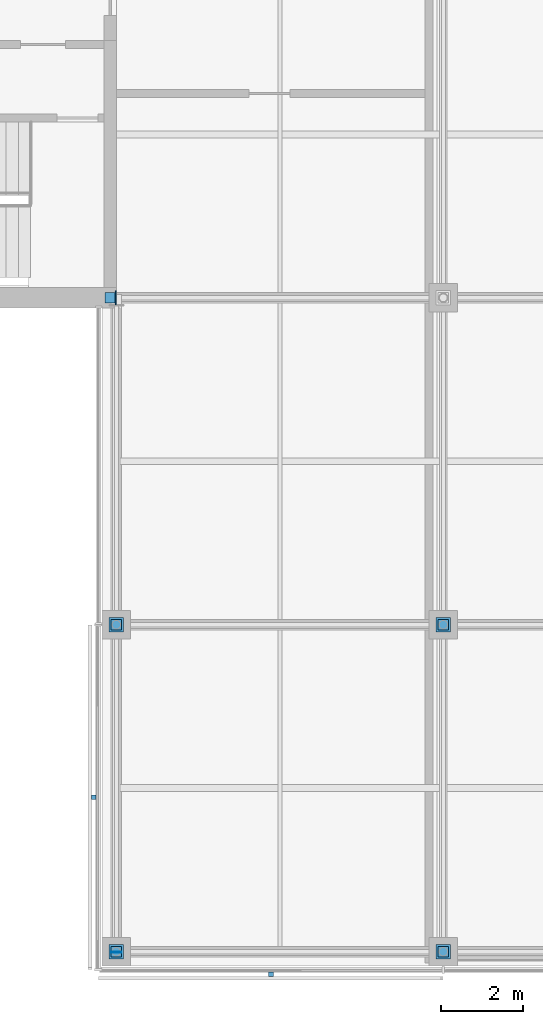
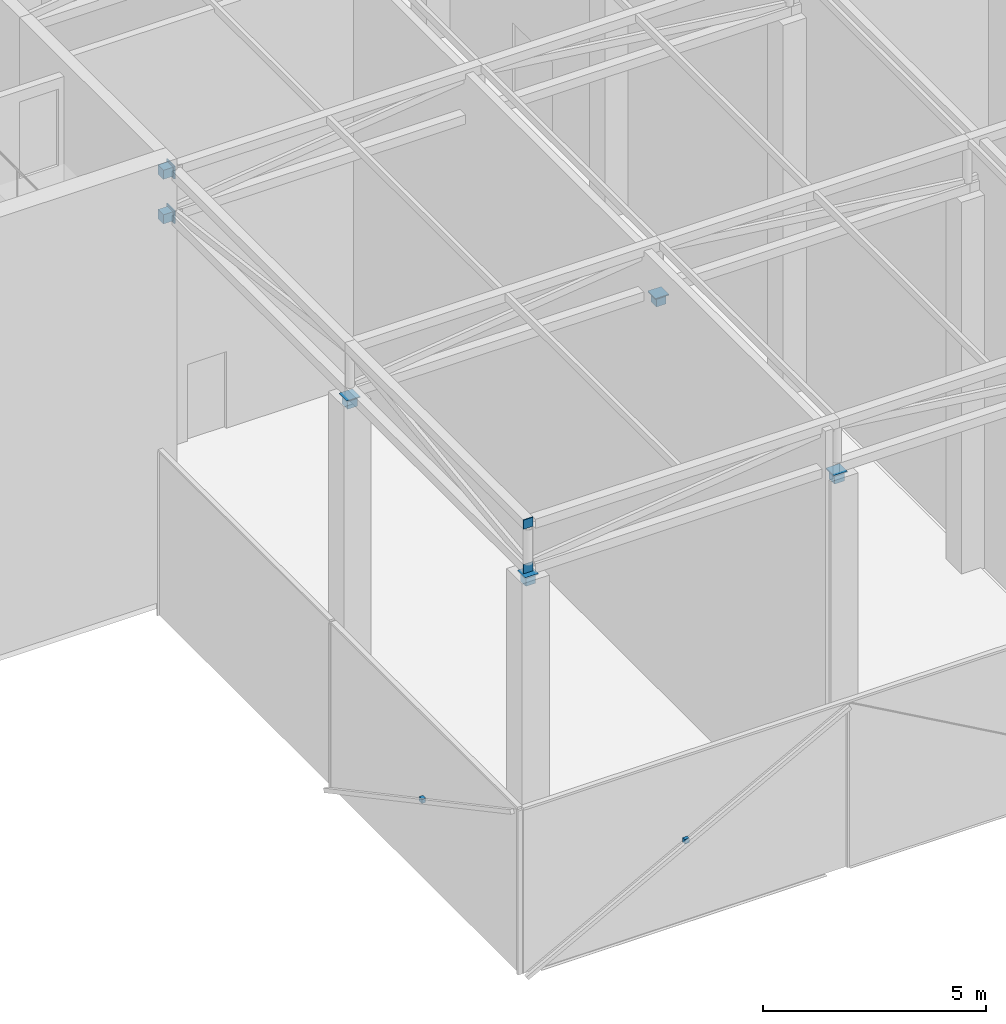
# One storey, part 15 of 23: 16 discrete accessories.
"""IFC4 building model written with IfcOpenShell, lengths in metres."""

from ifc_helpers import new_model, si_unit, direction, frame, origin, origin_2d, place, context, subcontext, project, spatial, rectangle, extrude, material, layer, layer_set, type_object, element, save


model = new_model("IFC4")

# Units and contexts
model_context = context("Model", 3, precision=1e-05, world=origin(), true_north=direction((0.0, 1.0)))
body_context = subcontext(model_context, "Body", "Model", "MODEL_VIEW")
ifc_project = project(units=[si_unit("LENGTHUNIT", "METRE"), si_unit("AREAUNIT", "SQUARE_METRE"), si_unit("VOLUMEUNIT", "CUBIC_METRE"), si_unit("PLANEANGLEUNIT", "RADIAN"), si_unit("MASSUNIT", "GRAM", prefix="KILO")], contexts=[model_context])

# Site, building, storey
site_placement = place(None, origin())
site = spatial("IfcSite", under=ifc_project, at=site_placement, CompositionType="ELEMENT")
building_placement = place(site_placement, origin())
building = spatial("IfcBuilding", under=site, at=building_placement, Name="Crosswind Convention Tower", CompositionType="ELEMENT")
storey_placement = place(building_placement, frame((0.0, 0.0, 349.10009765625)))
storey = spatial("IfcBuildingStorey", under=building, at=storey_placement, Name="L76", CompositionType="ELEMENT", Elevation=349.10009765625)

# Discrete accessories
ifc_material_1 = material(Name="Stainless steel", Category="steel")
discrete_accessory_type_1 = type_object("IfcDiscreteAccessoryType", Name="BAGUETTE BRACKET BK5", PredefinedType="BRACKET", material=ifc_material_1)
for number, where, z_axis, x_axis, name in (
    (1, (112.447998046875, 75.780029296875, 1.8349609375), (0.0, 0.0, 1.0), (0.0, -1.0, 0.0), "BK5 baguette bracket"),
    (2, (116.780029296875, 71.447998046875, 1.8349609375), (0.0, 0.0, 1.0), (1.0, 0.0, 0.0), "BK5 baguette bracket"),
):
    element("IfcDiscreteAccessory", number, at=place(storey_placement, frame(where, z_axis=z_axis, x_axis=x_axis)), inside=storey, type_object=discrete_accessory_type_1, Name=name, PredefinedType="BRACKET", context=body_context, shape_type="SweptSolid", body=[
        extrude(rectangle(XDim=0.1201171875, YDim=0.10009765625, at=origin_2d()), origin(), (0.0, 0.0, 1.0), 0.1201171875),
    ])
ifc_material_2 = material(Name="Steel S355", Category="steel")
ifc_layer_1 = layer(ifc_material_2, 0.030029296875)
ifc_layer_set_1 = layer_set([ifc_layer_1], Name="Steel S355")
discrete_accessory_type_2 = type_object("IfcDiscreteAccessoryType", Name="Cast-in plate 350 x 350 x 30", PredefinedType="ANCHORPLATE", material=ifc_layer_set_1)
for number, where, z_axis, x_axis, name in (
    (3, (112.985107421875, 88.0, 10.179931640625), (0.0, 0.0, 1.0), (1.0, 0.0, 0.0), "EP5 L76 cast-in plate"),
    (4, (112.985107421875, 88.0, 11.39990234375), (0.0, 0.0, 1.0), (1.0, 0.0, 0.0), "EP5 L76 cast-in plate"),
):
    element("IfcDiscreteAccessory", number, at=place(storey_placement, frame(where, z_axis=z_axis, x_axis=x_axis)), inside=storey, type_object=discrete_accessory_type_2, Name=name, PredefinedType="ANCHORPLATE", context=body_context, shape_type="SweptSolid", body=[
        extrude(rectangle(XDim=0.030029296875, YDim=0.35009765625, at=origin_2d()), origin(), (0.0, 0.0, 1.0), 0.35009765625),
    ])
for number, where, z_axis, x_axis, name in (
    (5, (113.0, 72.0, 10.19970703125), (0.0, 0.0, 1.0), (1.0, 0.0, 0.0), "EP5 L76 cast-in plate on column head"),
    (6, (113.0, 80.0, 10.19970703125), (0.0, 0.0, 1.0), (1.0, 0.0, 0.0), "EP5 L76 cast-in plate on column head"),
    (7, (121.0, 72.0, 10.19970703125), (0.0, 0.0, 1.0), (1.0, 0.0, 0.0), "EP5 L76 cast-in plate on column head"),
    (8, (121.0, 80.0, 10.19970703125), (0.0, 0.0, 1.0), (1.0, 0.0, 0.0), "EP5 L76 cast-in plate on column head"),
):
    element("IfcDiscreteAccessory", number, at=place(storey_placement, frame(where, z_axis=z_axis, x_axis=x_axis)), inside=storey, type_object=discrete_accessory_type_2, Name=name, PredefinedType="ANCHORPLATE", context=body_context, shape_type="SweptSolid", body=[
        extrude(rectangle(XDim=0.35009765625, YDim=0.35009765625, at=origin_2d()), origin(), (0.0, 0.0, 1.0), 0.030029296875),
    ])
ifc_layer_2 = layer(ifc_material_2, 0.02001953125)
ifc_layer_set_2 = layer_set([ifc_layer_2], Name="Steel S355")
discrete_accessory_type_3 = type_object("IfcDiscreteAccessoryType", Name="End cap plate 250 x 250 x 20", PredefinedType="USERDEFINED", material=ifc_layer_set_2)
for number, where, z_axis, x_axis, name in (
    (9, (113.0, 71.989990234375, 10.22998046875), (0.0, 0.0, 1.0), (1.0, 0.0, 0.0), "EC1 L76 roof truss 10 chord end cap plate"),
    (10, (113.0, 71.989990234375, 11.449951171875), (0.0, 0.0, 1.0), (1.0, 0.0, 0.0), "EC1 L76 roof truss 10 chord end cap plate"),
):
    element("IfcDiscreteAccessory", number, at=place(storey_placement, frame(where, z_axis=z_axis, x_axis=x_axis)), inside=storey, type_object=discrete_accessory_type_3, Name=name, ObjectType="END CAP PLATE", PredefinedType="USERDEFINED", context=body_context, shape_type="SweptSolid", body=[
        extrude(rectangle(XDim=0.25, YDim=0.02001953125, at=origin_2d()), origin(), (0.0, 0.0, 1.0), 0.25),
    ])
discrete_accessory_type_4 = type_object("IfcDiscreteAccessoryType", Name="Headed stud group 250 x 250 x 250", PredefinedType="USERDEFINED", material=ifc_material_2)
for number, where, z_axis, x_axis, name in (
    (11, (112.844970703125, 88.0, 10.22998046875), (0.0, 0.0, 1.0), (1.0, 0.0, 0.0), "AB5 L76 headed stud group"),
    (12, (112.844970703125, 88.0, 11.449951171875), (0.0, 0.0, 1.0), (1.0, 0.0, 0.0), "AB5 L76 headed stud group"),
    (13, (113.0, 72.0, 9.949951171875), (0.0, 0.0, 1.0), (1.0, 0.0, 0.0), "AB5 L76 headed stud group in column head"),
    (14, (113.0, 80.0, 9.949951171875), (0.0, 0.0, 1.0), (1.0, 0.0, 0.0), "AB5 L76 headed stud group in column head"),
    (15, (121.0, 72.0, 9.949951171875), (0.0, 0.0, 1.0), (1.0, 0.0, 0.0), "AB5 L76 headed stud group in column head"),
    (16, (121.0, 80.0, 9.949951171875), (0.0, 0.0, 1.0), (1.0, 0.0, 0.0), "AB5 L76 headed stud group in column head"),
):
    element("IfcDiscreteAccessory", number, at=place(storey_placement, frame(where, z_axis=z_axis, x_axis=x_axis)), inside=storey, type_object=discrete_accessory_type_4, Name=name, ObjectType="HEADED STUD GROUP", PredefinedType="USERDEFINED", context=body_context, shape_type="SweptSolid", body=[
        extrude(rectangle(XDim=0.25, YDim=0.25, at=origin_2d()), origin(), (0.0, 0.0, 1.0), 0.25),
    ])

save(model, "model.ifc")
